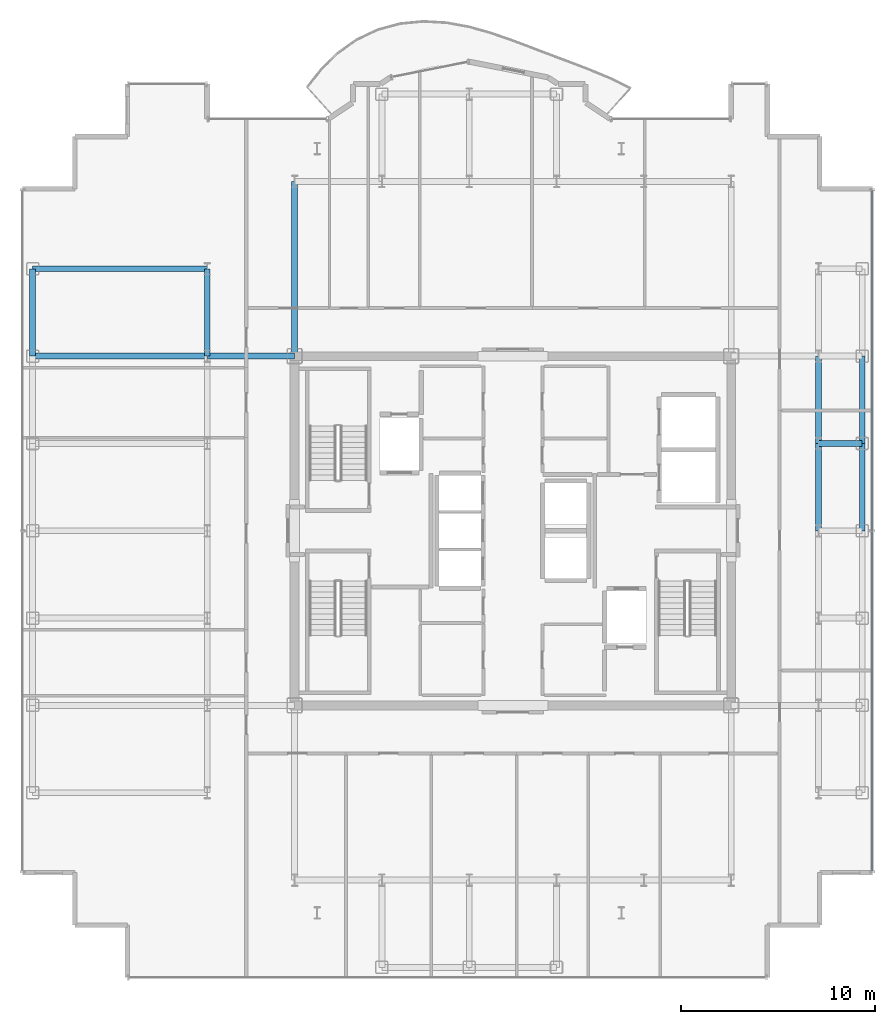
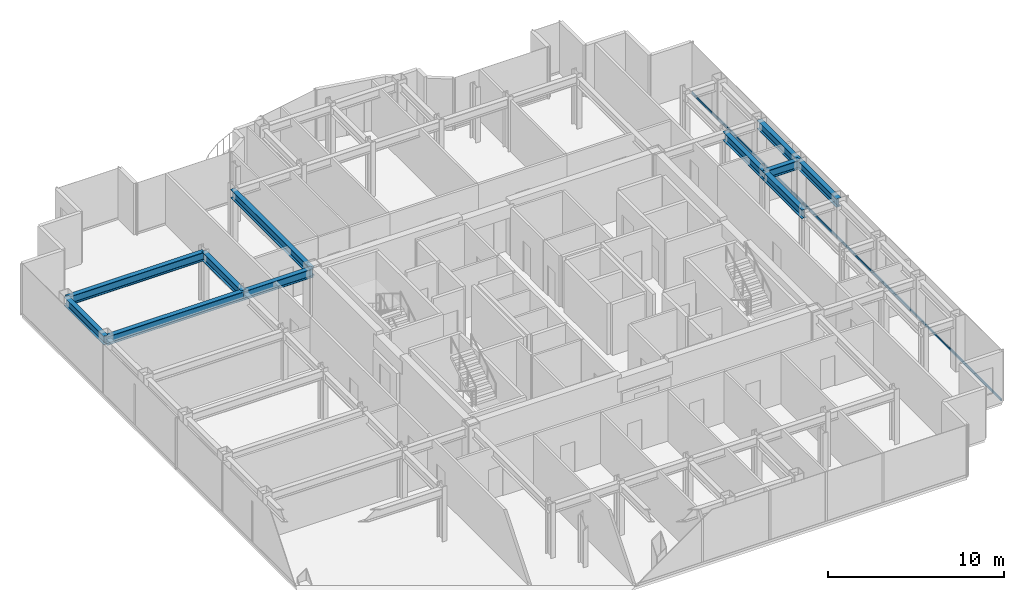
# One storey, part 8 of 18: 11 beams, 1 member, 1 element without a shape of its own.
"""IFC4 building model written with IfcOpenShell, lengths in metres."""

from ifc_helpers import new_model, si_unit, direction, frame, origin, origin_2d, place, context, subcontext, project, spatial, hollow_rectangle, i_section, extrude, source, transform, mapped, material, layer, layer_set, material_profile, profile_set, type_object, element, aggregate, save


model = new_model("IFC4")

# Units and contexts
model_context = context("Model", 3, precision=1e-05, world=origin(), true_north=direction((0.0, 1.0)))
body_context = subcontext(model_context, "Body", "Model", "MODEL_VIEW")
ifc_project = project(units=[si_unit("LENGTHUNIT", "METRE"), si_unit("AREAUNIT", "SQUARE_METRE"), si_unit("VOLUMEUNIT", "CUBIC_METRE"), si_unit("PLANEANGLEUNIT", "RADIAN"), si_unit("MASSUNIT", "GRAM", prefix="KILO")], contexts=[model_context])

# Site, building, storey
site_placement = place(None, origin())
site = spatial("IfcSite", under=ifc_project, at=site_placement, CompositionType="ELEMENT")
building_placement = place(site_placement, origin())
building = spatial("IfcBuilding", under=site, at=building_placement, Name="Nefas-Gora Pilgrimage Tower", CompositionType="ELEMENT")
storey_placement = place(building_placement, frame((0.0, 0.0, 283.60009765625)))
storey = spatial("IfcBuildingStorey", under=building, at=storey_placement, Name="L71", CompositionType="ELEMENT", Elevation=283.60009765625)

# Beams
ifc_material_1 = material(Name="Steel S355", Category="steel")
ifc_material_profile_1 = material_profile(ifc_material_1, i_section(OverallWidth=0.300048828125, OverallDepth=0.60009765625, WebThickness=0.015380859375, FlangeThickness=0.030029296875, FilletRadius=0.027099609375, at=origin_2d()), Name="HEB 600")
ifc_profile_set_1 = profile_set([ifc_material_profile_1], Name="Steel S355")
beam_type_1 = type_object("IfcBeamType", Name="BM-SPN-HEB450", PredefinedType="SPANDREL", material=ifc_profile_set_1)
shared_shape_1 = source(origin(), body_context, "Body", "SweptSolid", [
    extrude(i_section(OverallWidth=0.300048828125, OverallDepth=0.60009765625, WebThickness=0.015380859375, FlangeThickness=0.030029296875, FilletRadius=0.027099609375, at=origin_2d()), origin(), (0.0, 0.0, 1.0), 4.5),
])
for number, where, z_axis, x_axis, name in (
    (1, (-24.75, 9.0, 3.25), (0.0, 1.0, 0.0), (-1.0, 0.0, 0.0), "L71 SP-03 beam"),
    (2, (18.0, 0.0, 3.25), (0.0, 1.0, 0.0), (-1.0, 0.0, 0.0), "L71 SP-03 beam"),
    (3, (18.0, 4.5, 3.25), (0.0, 1.0, 0.0), (-1.0, 0.0, 0.0), "L71 SP-03 beam"),
):
    element("IfcBeam", number, at=place(storey_placement, frame(where, z_axis=z_axis, x_axis=x_axis)), inside=storey, type_object=beam_type_1, Name=name, PredefinedType="SPANDREL", context=body_context, shape_type="MappedRepresentation", body=[
        mapped(shared_shape_1, transform((0.0, 0.0, 0.0), x_axis=(1.0, 0.0, 0.0), y_axis=(0.0, 1.0, 0.0), z_axis=(0.0, 0.0, 1.0), scale=1.0)),
    ])
ifc_material_profile_2 = material_profile(ifc_material_1, i_section(OverallWidth=0.300048828125, OverallDepth=0.60009765625, WebThickness=0.015380859375, FlangeThickness=0.030029296875, FilletRadius=0.027099609375, at=origin_2d()), Name="HEB 600")
ifc_profile_set_2 = profile_set([ifc_material_profile_2], Name="Steel S355")
beam_type_2 = type_object("IfcBeamType", Name="BM-GIR-HEB600", PredefinedType="BEAM", material=ifc_profile_set_2)
shared_shape_2 = source(origin(), body_context, "Body", "SweptSolid", [
    extrude(i_section(OverallWidth=0.300048828125, OverallDepth=0.60009765625, WebThickness=0.015380859375, FlangeThickness=0.030029296875, FilletRadius=0.027099609375, at=origin_2d()), origin(), (0.0, 0.0, 1.0), 9.0),
])
for number, where, z_axis, x_axis, name in (
    (4, (-24.75, 9.0, 3.25), (1.0, 0.0, 0.0), (0.0, 1.0, 0.0), "L71 G-04 beam"),
    (5, (-24.75, 13.5, 3.25), (1.0, 0.0, 0.0), (0.0, 1.0, 0.0), "L71 G-04 beam"),
    (6, (-11.25, 9.0, 3.25), (0.0, 1.0, 0.0), (-1.0, 0.0, 0.0), "L71 G-04 beam"),
):
    element("IfcBeam", number, at=place(storey_placement, frame(where, z_axis=z_axis, x_axis=x_axis)), inside=storey, type_object=beam_type_2, Name=name, PredefinedType="BEAM", context=body_context, shape_type="MappedRepresentation", body=[
        mapped(shared_shape_2, transform((0.0, 0.0, 0.0), x_axis=(1.0, 0.0, 0.0), y_axis=(0.0, 1.0, 0.0), z_axis=(0.0, 0.0, 1.0), scale=1.0)),
    ])
shared_shape_3 = source(origin(), body_context, "Body", "SweptSolid", [
    extrude(i_section(OverallWidth=0.300048828125, OverallDepth=0.60009765625, WebThickness=0.015380859375, FlangeThickness=0.030029296875, FilletRadius=0.027099609375, at=origin_2d()), origin(), (0.0, 0.0, 1.0), 4.5),
])
for number, where, z_axis, x_axis, name in (
    (7, (-15.75, 9.0, 3.25), (0.0, 1.0, 0.0), (-1.0, 0.0, 0.0), "L71 G-04 beam"),
    (8, (-15.75, 9.0, 3.25), (1.0, 0.0, 0.0), (0.0, 1.0, 0.0), "L71 G-04 beam"),
    (9, (15.75, 0.0, 3.25), (0.0, 1.0, 0.0), (-1.0, 0.0, 0.0), "L71 G-04 beam"),
    (10, (15.75, 4.5, 3.25), (0.0, 1.0, 0.0), (-1.0, 0.0, 0.0), "L71 G-04 beam"),
):
    element("IfcBeam", number, at=place(storey_placement, frame(where, z_axis=z_axis, x_axis=x_axis)), inside=storey, type_object=beam_type_2, Name=name, PredefinedType="BEAM", context=body_context, shape_type="MappedRepresentation", body=[
        mapped(shared_shape_3, transform((0.0, 0.0, 0.0), x_axis=(1.0, 0.0, 0.0), y_axis=(0.0, 1.0, 0.0), z_axis=(0.0, 0.0, 1.0), scale=1.0)),
    ])
shared_shape_4 = source(origin(), body_context, "Body", "SweptSolid", [
    extrude(i_section(OverallWidth=0.300048828125, OverallDepth=0.60009765625, WebThickness=0.015380859375, FlangeThickness=0.030029296875, FilletRadius=0.027099609375, at=origin_2d()), origin(), (0.0, 0.0, 1.0), 2.25),
])
beam_placement = place(storey_placement, frame((15.75, 4.5, 3.25), z_axis=(1.0, 0.0, 0.0), x_axis=(0.0, 1.0, 0.0)))
element("IfcBeam", 11, at=beam_placement, inside=storey, type_object=beam_type_2, Name="L71 G-04 beam", PredefinedType="BEAM", context=body_context, shape_type="MappedRepresentation", body=[
    mapped(shared_shape_4, transform((0.0, 0.0, 0.0), x_axis=(1.0, 0.0, 0.0), y_axis=(0.0, 1.0, 0.0), z_axis=(0.0, 0.0, 1.0), scale=1.0)),
])

# Curtain wall, member
ifc_material_2 = material(Name="Dark ceramic-fritted solar-control aluminium-glass curtain wall", Category="aluminium")
ifc_layer = layer(ifc_material_2, 0.219970703125)
ifc_layer_set = layer_set([ifc_layer], Name="Dark ceramic-fritted solar-control aluminium-glass curtain wall")
curtain_wall_type = type_object("IfcCurtainWallType", Name="CW-SYS-4", PredefinedType="NOTDEFINED", material=ifc_layer_set)
curtain_wall_placement = place(storey_placement, origin())
curtain_wall = element("IfcCurtainWall", 12, at=curtain_wall_placement, inside=storey, type_object=curtain_wall_type, Name="L71 Unitised Curtain Wall CW4", PredefinedType="NOTDEFINED")
ifc_material_3 = material(Name="Anodised architectural aluminium", Category="aluminium")
ifc_material_profile_3 = material_profile(ifc_material_3, hollow_rectangle(XDim=0.080078125, YDim=0.159912109375, WallThickness=0.00439453125, InnerFilletRadius=0.00439453125, OuterFilletRadius=0.009033203125, at=origin_2d()), Name="ALU TRANSOM 80x160")
ifc_profile_set_3 = profile_set([ifc_material_profile_3], Name="Anodised architectural aluminium")
member_type = type_object("IfcMemberType", Name="CWM-TRN-4", PredefinedType="USERDEFINED", material=ifc_profile_set_3)
shared_shape_5 = source(origin(), body_context, "Body", "SweptSolid", [
    extrude(hollow_rectangle(XDim=0.080078125, YDim=0.159912109375, WallThickness=0.00439453125, InnerFilletRadius=0.00439453125, OuterFilletRadius=0.009033203125, at=origin_2d()), origin(), (0.0, 0.0, 1.0), 35.06005859375),
])
member_placement = place(storey_placement, frame((18.52001953125, -17.530029296875, 0.0498046875), z_axis=(0.0, 1.0, 0.0), x_axis=(-1.0, 0.0, 0.0)))
member = element("IfcMember", 13, at=member_placement, type_object=member_type, Name="CW4 Spandrel Transom", ObjectType="TRANSOM", PredefinedType="USERDEFINED", context=body_context, shape_type="MappedRepresentation", body=[
    mapped(shared_shape_5, transform((0.0, 0.0, 0.0), x_axis=(1.0, 0.0, 0.0), y_axis=(0.0, 1.0, 0.0), z_axis=(0.0, 0.0, 1.0), scale=1.0)),
])
aggregate(curtain_wall, [member])

save(model, "model.ifc")
